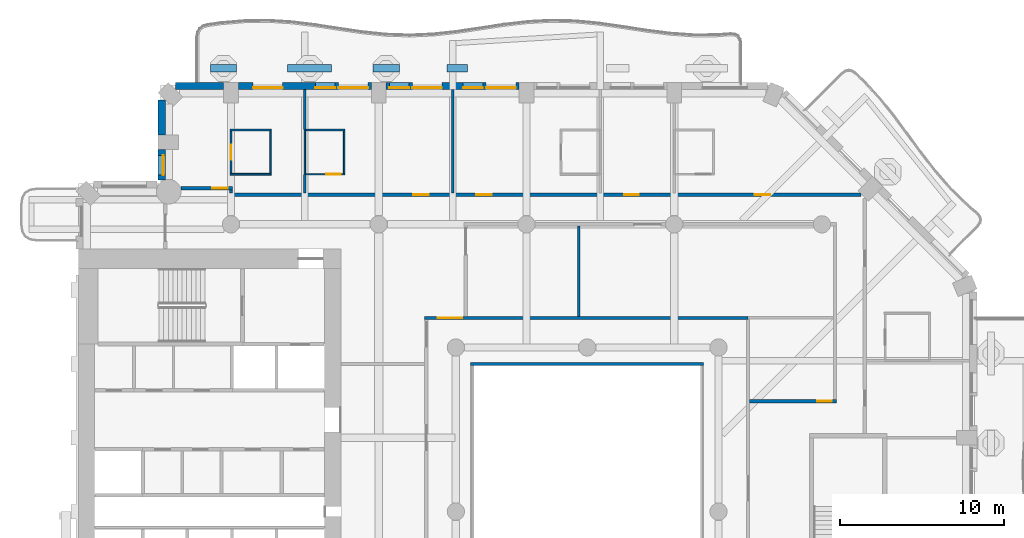
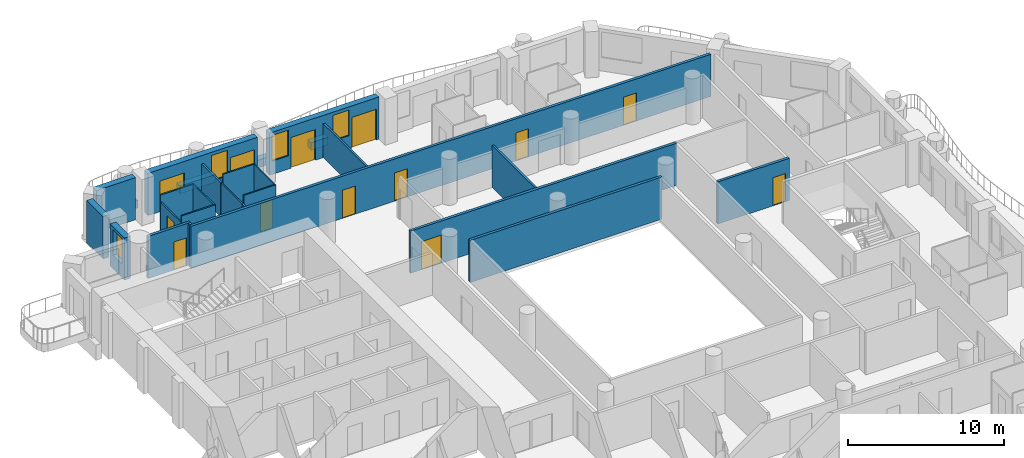
# One storey, part 8 of 21: 27 walls, 13 doors, 4 windows, 17 openings.
"""IFC4 building model written with IfcOpenShell, lengths in metres."""

import ifcopenshell
import ifcopenshell.guid

model = None  # the IFC model being written
_history = None  # IfcOwnerHistory: only IFC2X3 demands one
_inside = {}  # id of a spatial element -> (the spatial element, [elements in it])
_under = {}  # id of a project, library or spatial element -> (it, [spatial elements below it])
_declared = {}  # id of a project -> (the project, [libraries it declares])
_typed = {}  # id of a type object -> (the type object, [elements of that type])
_made_of = {}  # id of a material, layer set ... -> (it, [elements and type objects made of it])


def new_model(schema):
    """Start an empty IFC model of exactly this schema.

    Asked for "IFC4X3", IfcOpenShell would pick the latest addendum, in which some entities
    have other attributes; the version numbers below select the first issue.
    IFC2X3 requires an IfcOwnerHistory on every rooted entity: one is made here for all.
    """
    global model, _history
    if schema == "IFC4X3":
        model = ifcopenshell.file(schema_version=(4, 3, 0, 0))
    else:
        model = ifcopenshell.file(schema=schema)
    _inside.clear()
    _under.clear()
    _declared.clear()
    _typed.clear()
    _made_of.clear()
    _history = None
    if model.schema == "IFC2X3":
        org = make("IfcOrganization", Name="unknown")
        user = make(
            "IfcPersonAndOrganization",
            ThePerson=make("IfcPerson", FamilyName="unknown"),
            TheOrganization=org,
        )
        app = make(
            "IfcApplication",
            ApplicationDeveloper=org,
            Version="unknown",
            ApplicationFullName="unknown",
            ApplicationIdentifier="unknown",
        )
        _history = make(
            "IfcOwnerHistory",
            OwningUser=user,
            OwningApplication=app,
            ChangeAction="ADDED",
            CreationDate=0,
        )
    return model


def make(cls, **values):
    """One entity of the class cls with the attributes given. An attribute that is None is left unset."""
    return model.create_entity(
        cls, **{name: value for name, value in values.items() if value is not None}
    )


def rooted(cls, **values):
    """An entity with a GlobalId (a new one), such as an element, a storey or a relation."""
    return make(cls, GlobalId=ifcopenshell.guid.new(), OwnerHistory=_history, **values)


def si_unit(unit_type, name, prefix=None):
    """IfcSIUnit, for example si_unit("LENGTHUNIT", "METRE", prefix="MILLI")."""
    return make("IfcSIUnit", UnitType=unit_type, Prefix=prefix, Name=name)


def assignment(units):
    """IfcUnitAssignment: the units of a project."""
    return None if units is None else make("IfcUnitAssignment", Units=units)


def point(xyz):
    """IfcCartesianPoint."""
    return None if xyz is None else make("IfcCartesianPoint", Coordinates=xyz)


def direction(xyz):
    """IfcDirection."""
    return None if xyz is None else make("IfcDirection", DirectionRatios=xyz)


def frame(location, z_axis=None, x_axis=None):
    """IfcAxis2Placement3D, a coordinate frame: its origin and axes. An axis left out is left unset."""
    return make(
        "IfcAxis2Placement3D",
        Location=point(location),
        Axis=direction(z_axis),
        RefDirection=direction(x_axis),
    )


def frame_2d(location, x_axis=None):
    """IfcAxis2Placement2D, a coordinate frame in the plane: its origin and x axis."""
    return make(
        "IfcAxis2Placement2D", Location=point(location), RefDirection=direction(x_axis)
    )


def origin():
    """The frame at (0, 0, 0) with its axes left unset."""
    return frame((0.0, 0.0, 0.0))


def place(relative_to, where):
    """IfcLocalPlacement: puts the frame where relative to a parent placement (None: the world)."""
    return make(
        "IfcLocalPlacement", PlacementRelTo=relative_to, RelativePlacement=where
    )


def context(
    kind, dimensions, precision=None, world=None, true_north=None, identifier=None
):
    """IfcGeometricRepresentationContext, for example the 3D "Model" context."""
    return make(
        "IfcGeometricRepresentationContext",
        ContextIdentifier=identifier,
        ContextType=kind,
        CoordinateSpaceDimension=dimensions,
        Precision=precision,
        WorldCoordinateSystem=world,
        TrueNorth=true_north,
    )


def subcontext(parent, identifier, kind, view, scale=None):
    """IfcGeometricRepresentationSubContext, for example "Body" below "Model"."""
    return make(
        "IfcGeometricRepresentationSubContext",
        ContextIdentifier=identifier,
        ContextType=kind,
        ParentContext=parent,
        TargetScale=scale,
        TargetView=view,
    )


def project(units=None, contexts=None):
    """IfcProject with its units and contexts."""
    return rooted(
        "IfcProject",
        Name="project",
        RepresentationContexts=contexts,
        UnitsInContext=assignment(units),
    )


def spatial(cls, under=None, at=None, **own):
    """A site, building, storey or space (cls), placed at a placement, below another one or the project."""
    s = rooted(cls, ObjectPlacement=at, **own)
    if under is not None:
        _under.setdefault(under.id(), (under, []))[1].append(s)
    return s


def profile(cls, at=None, kind="AREA", **sizes):
    """A parametric profile (cls). Its sizes go by their IFC names, for example OverallWidth=200.0."""
    return make(cls, ProfileType=kind, Position=at, **sizes)


def rectangle(**sizes):
    """IfcRectangleProfileDef."""
    return profile("IfcRectangleProfileDef", **sizes)


def extrude(swept, where, along, depth):
    """IfcExtrudedAreaSolid: the profile swept, set in the frame where, extruded along a direction by depth."""
    return make(
        "IfcExtrudedAreaSolid",
        SweptArea=swept,
        Position=where,
        ExtrudedDirection=direction(along),
        Depth=depth,
    )


def shape(context_of_items, identifier, shape_type, items):
    """IfcShapeRepresentation: the items that make up one representation, for example the "Body"."""
    return make(
        "IfcShapeRepresentation",
        ContextOfItems=context_of_items,
        RepresentationIdentifier=identifier,
        RepresentationType=shape_type,
        Items=items,
    )


def material(Name=None, Category=None):
    """IfcMaterial."""
    return make("IfcMaterial", Name=Name, Category=Category)


def layer(
    of_material, thickness, ventilated=None, Name=None, Category=None, Priority=None
):
    """IfcMaterialLayer: one layer of a wall or slab, of a material (None: an air gap)."""
    return make(
        "IfcMaterialLayer",
        Material=of_material,
        LayerThickness=thickness,
        IsVentilated=ventilated,
        Name=Name,
        Category=Category,
        Priority=Priority,
    )


def layer_set(layers, Name=None):
    """IfcMaterialLayerSet."""
    return make("IfcMaterialLayerSet", MaterialLayers=layers, LayerSetName=Name)


def made_of(thing, what):
    """Note that an element or type object is made of a material, layer set ...; save() writes the relation."""
    if what is not None:
        _made_of.setdefault(what.id(), (what, []))[1].append(thing)
    return thing


def type_object(cls, material=None, **own):
    """A type object (cls), such as IfcWallType, which elements share."""
    return made_of(rooted(cls, **own), material)


def element(
    cls,
    number,
    at=None,
    inside=None,
    cuts=None,
    type_object=None,
    material=None,
    context=None,
    identifier="Body",
    shape_type=None,
    held_by="IfcProductDefinitionShape",
    body=None,
    shapes=None,
    **own,
):
    """One element of the class cls, such as IfcWall. Its Tag is "e" and its number.

    at: its placement. inside: the storey or other place that contains it. cuts: it is an
    opening in that element (IfcRelVoidsElement). A single representation is given by context,
    identifier, shape_type and body (its items); several are given by shapes. held_by: the class
    of the entity that holds the representations. save() writes the other relations.
    """
    e = rooted(cls, Tag="e%d" % number, ObjectPlacement=at, **own)
    if body is not None:
        shapes = [shape(context, identifier, shape_type, body)]
    if shapes is not None:
        e.Representation = make(held_by, Representations=shapes)
    if inside is not None:
        _inside.setdefault(inside.id(), (inside, []))[1].append(e)
    if cuts is not None:
        rooted(
            "IfcRelVoidsElement", RelatingBuildingElement=cuts, RelatedOpeningElement=e
        )
    if type_object is not None:
        _typed.setdefault(type_object.id(), (type_object, []))[1].append(e)
    return made_of(e, material)


def fill(opening, filler):
    """IfcRelFillsElement: the door or window that sits in an opening."""
    return rooted(
        "IfcRelFillsElement",
        RelatingOpeningElement=opening,
        RelatedBuildingElement=filler,
    )


def aggregate(whole, parts):
    """IfcRelAggregates: a whole, such as a stair, and the parts it consists of."""
    return rooted("IfcRelAggregates", RelatingObject=whole, RelatedObjects=parts)


def save(model, path):
    """Write the relations noted so far, then the file.

    IfcRelAggregates (storeys below a building ...), IfcRelContainedInSpatialStructure (elements
    in a storey), IfcRelDefinesByType, IfcRelAssociatesMaterial and IfcRelDeclares: one each for
    every whole, place, type object, material and project.
    """
    for whole, parts in _under.values():
        aggregate(whole, parts)
    for where, things in _inside.values():
        rooted(
            "IfcRelContainedInSpatialStructure",
            RelatedElements=things,
            RelatingStructure=where,
        )
    for kind, things in _typed.values():
        rooted("IfcRelDefinesByType", RelatedObjects=things, RelatingType=kind)
    for what, things in _made_of.values():
        rooted("IfcRelAssociatesMaterial", RelatedObjects=things, RelatingMaterial=what)
    for by, libraries in _declared.values():
        rooted("IfcRelDeclares", RelatingContext=by, RelatedDefinitions=libraries)
    model.write(path)


model = new_model("IFC4")

# Units and contexts
model_context = context("Model", 3, precision=1e-05, world=origin(), true_north=direction((0.0, 1.0)))
body_context = subcontext(model_context, "Body", "Model", "MODEL_VIEW")
ifc_project = project(units=[si_unit("LENGTHUNIT", "METRE"), si_unit("AREAUNIT", "SQUARE_METRE"), si_unit("VOLUMEUNIT", "CUBIC_METRE"), si_unit("PLANEANGLEUNIT", "RADIAN"), si_unit("MASSUNIT", "GRAM", prefix="KILO")], contexts=[model_context])

# Site, building, storey
site_placement = place(None, origin())
site = spatial("IfcSite", under=ifc_project, at=site_placement, CompositionType="ELEMENT")
building_placement = place(site_placement, origin())
building = spatial("IfcBuilding", under=site, at=building_placement, Name="Cypress Arch Tower", CompositionType="ELEMENT")
storey_placement = place(building_placement, frame((0.0, 0.0, 127.5)))
storey = spatial("IfcBuildingStorey", under=building, at=storey_placement, Name="L27", CompositionType="ELEMENT", Elevation=127.5)

# Walls
ifc_material_1 = material(Name="Concrete C40/50, waterproofed", Category="concrete")
ifc_layer_1 = layer(ifc_material_1, 0.449951171875)
ifc_layer_set_1 = layer_set([ifc_layer_1], Name="Balcony planter wall PW450")
wall_type_1 = type_object("IfcWallType", Name="Balcony planter wall PW450", PredefinedType="SOLIDWALL", material=ifc_layer_set_1)
wall_1_placement = place(storey_placement, frame((-6.300048828125, 27.0, 0.0), z_axis=(0.0, 0.0, 1.0), x_axis=(-1.0, 0.0, 0.0)))
element("IfcWall", 1, at=wall_1_placement, inside=storey, type_object=wall_type_1, Name="Balcony planter wall L27-A08.3", PredefinedType="SOLIDWALL", context=body_context, shape_type="SweptSolid", body=[
    extrude(rectangle(XDim=1.25, YDim=0.449951171875, at=frame_2d((0.625, 0.0))), origin(), (0.0, 0.0, 1.0), 0.60009765625),
])
wall_2_placement = place(storey_placement, frame((-10.4375, 27.0, 0.0), z_axis=(0.0, 0.0, 1.0), x_axis=(-1.0, 0.0, 0.0)))
element("IfcWall", 2, at=wall_2_placement, inside=storey, type_object=wall_type_1, Name="Balcony planter wall L27-A08.4", PredefinedType="SOLIDWALL", context=body_context, shape_type="SweptSolid", body=[
    extrude(rectangle(XDim=1.612548828125, YDim=0.449951171875, at=frame_2d((0.80615234375, 0.0))), origin(), (0.0, 0.0, 1.0), 0.60009765625),
])
wall_3_placement = place(storey_placement, frame((-14.574951171875, 27.0, 0.0), z_axis=(0.0, 0.0, 1.0), x_axis=(-1.0, 0.0, 0.0)))
element("IfcWall", 3, at=wall_3_placement, inside=storey, type_object=wall_type_1, Name="Balcony planter wall L27-A08.5", PredefinedType="SOLIDWALL", context=body_context, shape_type="SweptSolid", body=[
    extrude(rectangle(XDim=2.675048828125, YDim=0.449951171875, at=frame_2d((1.33740234375, 0.0))), origin(), (0.0, 0.0, 1.0), 0.60009765625),
])
wall_4_placement = place(storey_placement, frame((-20.35009765625, 27.0, 0.0), z_axis=(0.0, 0.0, 1.0), x_axis=(-1.0, 0.0, 0.0)))
element("IfcWall", 4, at=wall_4_placement, inside=storey, type_object=wall_type_1, Name="Balcony planter wall L27-A08.6", PredefinedType="SOLIDWALL", context=body_context, shape_type="SweptSolid", body=[
    extrude(rectangle(XDim=1.599853515625, YDim=0.449951171875, at=frame_2d((0.7998046875, 0.0))), origin(), (0.0, 0.0, 1.0), 0.60009765625),
])

# Wall, openings, doors, windows
ifc_material_2 = material(Name="Brick (red buff blend)", Category="masonry")
ifc_layer_2 = layer(ifc_material_2, 0.449951171875)
ifc_layer_set_2 = layer_set([ifc_layer_2], Name="Brick pier and spandrel wall BW450")
wall_type_2 = type_object("IfcWallType", Name="Brick pier and spandrel wall BW450", PredefinedType="SOLIDWALL", material=ifc_layer_set_2)
wall_5_placement = place(storey_placement, frame((-3.14990234375, 25.925048828125, 0.0), z_axis=(0.0, 0.0, 1.0), x_axis=(-1.0, 0.0, 0.0)))
wall_5 = element("IfcWall", 5, at=wall_5_placement, inside=storey, type_object=wall_type_2, Name="Brick wall L27 A08.2", PredefinedType="SOLIDWALL", context=body_context, shape_type="SweptSolid", body=[
    extrude(rectangle(XDim=8.10009765625, YDim=0.449951171875, at=frame_2d((4.050048828125, 0.0))), origin(), (0.0, 0.0, 1.0), 3.300048828125),
])
opening_1_placement = place(wall_5_placement, frame((0.199951171875, 0.0, 0.0)))
opening_1 = element("IfcOpeningElement", 6, at=opening_1_placement, cuts=wall_5, Name="Opening D-L27-A08.2.1", PredefinedType="OPENING", context=body_context, shape_type="SweptSolid", body=[
    extrude(rectangle(XDim=1.800048828125, YDim=2.39990234375, at=frame_2d((0.89990234375, 1.199951171875))), frame((0.0, 0.23486328125, 0.0), z_axis=(0.0, -1.0, 0.0), x_axis=(1.0, 0.0, 0.0)), (0.0, 0.0, 1.0), 0.469970703125),
])
opening_2_placement = place(wall_5_placement, frame((2.199951171875, 0.0, 1.050048828125)))
opening_2 = element("IfcOpeningElement", 7, at=opening_2_placement, cuts=wall_5, Name="Opening W120HD", PredefinedType="OPENING", context=body_context, shape_type="SweptSolid", body=[
    extrude(rectangle(XDim=1.199951171875, YDim=2.0, at=frame_2d((0.60009765625, 1.0))), frame((0.0, 0.23486328125, 0.0), z_axis=(0.0, -1.0, 0.0), x_axis=(1.0, 0.0, 0.0)), (0.0, 0.0, 1.0), 0.469970703125),
])
opening_3_placement = place(wall_5_placement, frame((4.699951171875, 0.0, 0.0)))
opening_3 = element("IfcOpeningElement", 8, at=opening_3_placement, cuts=wall_5, Name="Opening D-L27-A08.2.2", PredefinedType="OPENING", context=body_context, shape_type="SweptSolid", body=[
    extrude(rectangle(XDim=1.800048828125, YDim=2.39990234375, at=frame_2d((0.89990234375, 1.199951171875))), frame((0.0, 0.23486328125, 0.0), z_axis=(0.0, -1.0, 0.0), x_axis=(1.0, 0.0, 0.0)), (0.0, 0.0, 1.0), 0.469970703125),
])
opening_4_placement = place(wall_5_placement, frame((6.699951171875, 0.0, 1.050048828125)))
opening_4 = element("IfcOpeningElement", 9, at=opening_4_placement, cuts=wall_5, Name="Opening W120HD", PredefinedType="OPENING", context=body_context, shape_type="SweptSolid", body=[
    extrude(rectangle(XDim=1.199951171875, YDim=2.0, at=frame_2d((0.60009765625, 1.0))), frame((0.0, 0.23486328125, 0.0), z_axis=(0.0, -1.0, 0.0), x_axis=(1.0, 0.0, 0.0)), (0.0, 0.0, 1.0), 0.469970703125),
])
ifc_material_3 = material(Name="Anodised aluminium, bronze finish, laminated low-emissivity double glazing, large-missile impact rated", Category="aluminium")
door_type_1 = type_object("IfcDoorType", Name="Balcony sliding door 1800x2400", OperationType="SLIDING_TO_LEFT", PredefinedType="DOOR", material=ifc_material_3)
door_1_placement = place(opening_1_placement, origin())
door_1 = element("IfcDoor", 10, at=door_1_placement, inside=storey, type_object=door_type_1, Name="Balcony door L27 A08.2.1", OperationType="SLIDING_TO_LEFT", OverallHeight=2.39990234375, OverallWidth=1.800048828125, PredefinedType="DOOR", context=body_context, shape_type="SweptSolid", body=[
    extrude(rectangle(XDim=1.800048828125, YDim=2.39990234375, at=frame_2d((0.89990234375, 1.199951171875))), frame((0.0, 0.1298828125, 0.0), z_axis=(0.0, -1.0, 0.0), x_axis=(1.0, 0.0, 0.0)), (0.0, 0.0, 1.0), 0.050048828125),
])
fill(opening_1, door_1)
door_2_placement = place(opening_3_placement, origin())
door_2 = element("IfcDoor", 11, at=door_2_placement, inside=storey, type_object=door_type_1, Name="Balcony door L27 A08.2.2", OperationType="SLIDING_TO_LEFT", OverallHeight=2.39990234375, OverallWidth=1.800048828125, PredefinedType="DOOR", context=body_context, shape_type="SweptSolid", body=[
    extrude(rectangle(XDim=1.800048828125, YDim=2.39990234375, at=frame_2d((0.89990234375, 1.199951171875))), frame((0.0, 0.1298828125, 0.0), z_axis=(0.0, -1.0, 0.0), x_axis=(1.0, 0.0, 0.0)), (0.0, 0.0, 1.0), 0.050048828125),
])
fill(opening_3, door_2)
ifc_material_4 = material(Name="Anodised aluminium, bronze finish, laminated low-emissivity double glazing, large-missile impact rated", Category="aluminium")
window_type_1 = type_object("IfcWindowType", Name="Window Hotel 1200x2000 debris-rated", PartitioningType="SINGLE_PANEL", PredefinedType="WINDOW", material=ifc_material_4)
window_1_placement = place(opening_2_placement, origin())
window_1 = element("IfcWindow", 12, at=window_1_placement, inside=storey, type_object=window_type_1, Name="Window L27 A08.2.1", OverallHeight=2.0, OverallWidth=1.199951171875, PartitioningType="SINGLE_PANEL", PredefinedType="WINDOW", context=body_context, shape_type="SweptSolid", body=[
    extrude(rectangle(XDim=1.199951171875, YDim=2.0, at=frame_2d((0.60009765625, 1.0))), frame((0.0, 0.135009765625, 0.0), z_axis=(0.0, -1.0, 0.0), x_axis=(1.0, 0.0, 0.0)), (0.0, 0.0, 1.0), 0.06005859375),
])
fill(opening_2, window_1)
window_2_placement = place(opening_4_placement, origin())
window_2 = element("IfcWindow", 13, at=window_2_placement, inside=storey, type_object=window_type_1, Name="Window L27 A08.2.2", OverallHeight=2.0, OverallWidth=1.199951171875, PartitioningType="SINGLE_PANEL", PredefinedType="WINDOW", context=body_context, shape_type="SweptSolid", body=[
    extrude(rectangle(XDim=1.199951171875, YDim=2.0, at=frame_2d((0.60009765625, 1.0))), frame((0.0, 0.135009765625, 0.0), z_axis=(0.0, -1.0, 0.0), x_axis=(1.0, 0.0, 0.0)), (0.0, 0.0, 1.0), 0.06005859375),
])
fill(opening_4, window_2)

# Wall, openings, doors, window
wall_6_placement = place(storey_placement, frame((-12.14990234375, 25.925048828125, 0.0), z_axis=(0.0, 0.0, 1.0), x_axis=(-1.0, 0.0, 0.0)))
wall_6 = element("IfcWall", 14, at=wall_6_placement, inside=storey, type_object=wall_type_2, Name="Brick wall L27 A08.3", PredefinedType="SOLIDWALL", context=body_context, shape_type="SweptSolid", body=[
    extrude(rectangle(XDim=8.10009765625, YDim=0.449951171875, at=frame_2d((4.050048828125, 0.0))), origin(), (0.0, 0.0, 1.0), 3.300048828125),
])
opening_5_placement = place(wall_6_placement, frame((0.199951171875, 0.0, 0.0)))
opening_5 = element("IfcOpeningElement", 15, at=opening_5_placement, cuts=wall_6, Name="Opening D-L27-A08.3.1", PredefinedType="OPENING", context=body_context, shape_type="SweptSolid", body=[
    extrude(rectangle(XDim=1.800048828125, YDim=2.39990234375, at=frame_2d((0.89990234375, 1.199951171875))), frame((0.0, 0.23486328125, 0.0), z_axis=(0.0, -1.0, 0.0), x_axis=(1.0, 0.0, 0.0)), (0.0, 0.0, 1.0), 0.469970703125),
])
opening_6_placement = place(wall_6_placement, frame((2.199951171875, 0.0, 1.050048828125)))
opening_6 = element("IfcOpeningElement", 16, at=opening_6_placement, cuts=wall_6, Name="Opening W120HD", PredefinedType="OPENING", context=body_context, shape_type="SweptSolid", body=[
    extrude(rectangle(XDim=1.199951171875, YDim=2.0, at=frame_2d((0.60009765625, 1.0))), frame((0.0, 0.23486328125, 0.0), z_axis=(0.0, -1.0, 0.0), x_axis=(1.0, 0.0, 0.0)), (0.0, 0.0, 1.0), 0.469970703125),
])
opening_7_placement = place(wall_6_placement, frame((5.39990234375, 0.0, 0.0)))
opening_7 = element("IfcOpeningElement", 17, at=opening_7_placement, cuts=wall_6, Name="Opening D-L27-A08.3.2", PredefinedType="OPENING", context=body_context, shape_type="SweptSolid", body=[
    extrude(rectangle(XDim=1.800048828125, YDim=2.39990234375, at=frame_2d((0.89990234375, 1.199951171875))), frame((0.0, 0.23486328125, 0.0), z_axis=(0.0, -1.0, 0.0), x_axis=(1.0, 0.0, 0.0)), (0.0, 0.0, 1.0), 0.469970703125),
])
door_3_placement = place(opening_5_placement, origin())
door_3 = element("IfcDoor", 18, at=door_3_placement, inside=storey, type_object=door_type_1, Name="Balcony door L27 A08.3.1", OperationType="SLIDING_TO_LEFT", OverallHeight=2.39990234375, OverallWidth=1.800048828125, PredefinedType="DOOR", context=body_context, shape_type="SweptSolid", body=[
    extrude(rectangle(XDim=1.800048828125, YDim=2.39990234375, at=frame_2d((0.89990234375, 1.199951171875))), frame((0.0, 0.1298828125, 0.0), z_axis=(0.0, -1.0, 0.0), x_axis=(1.0, 0.0, 0.0)), (0.0, 0.0, 1.0), 0.050048828125),
])
fill(opening_5, door_3)
door_4_placement = place(opening_7_placement, origin())
door_4 = element("IfcDoor", 19, at=door_4_placement, inside=storey, type_object=door_type_1, Name="Balcony door L27 A08.3.2", OperationType="SLIDING_TO_LEFT", OverallHeight=2.39990234375, OverallWidth=1.800048828125, PredefinedType="DOOR", context=body_context, shape_type="SweptSolid", body=[
    extrude(rectangle(XDim=1.800048828125, YDim=2.39990234375, at=frame_2d((0.89990234375, 1.199951171875))), frame((0.0, 0.1298828125, 0.0), z_axis=(0.0, -1.0, 0.0), x_axis=(1.0, 0.0, 0.0)), (0.0, 0.0, 1.0), 0.050048828125),
])
fill(opening_7, door_4)
window_3_placement = place(opening_6_placement, origin())
window_3 = element("IfcWindow", 20, at=window_3_placement, inside=storey, type_object=window_type_1, Name="Window L27 A08.3.1", OverallHeight=2.0, OverallWidth=1.199951171875, PartitioningType="SINGLE_PANEL", PredefinedType="WINDOW", context=body_context, shape_type="SweptSolid", body=[
    extrude(rectangle(XDim=1.199951171875, YDim=2.0, at=frame_2d((0.60009765625, 1.0))), frame((0.0, 0.135009765625, 0.0), z_axis=(0.0, -1.0, 0.0), x_axis=(1.0, 0.0, 0.0)), (0.0, 0.0, 1.0), 0.06005859375),
])
fill(opening_6, window_3)

# Walls
wall_7_placement = place(storey_placement, frame((-21.14990234375, 25.925048828125, 0.0), z_axis=(0.0, 0.0, 1.0), x_axis=(-1.0, 0.0, 0.0)))
element("IfcWall", 21, at=wall_7_placement, inside=storey, type_object=wall_type_2, Name="Brick wall L27 A08.4", PredefinedType="SOLIDWALL", context=body_context, shape_type="SweptSolid", body=[
    extrude(rectangle(XDim=2.913818359375, YDim=0.449951171875, at=frame_2d((1.45703125, 0.0))), origin(), (0.0, 0.0, 1.0), 3.300048828125),
])
wall_8_placement = place(storey_placement, frame((-24.925048828125, 25.063720703125, 0.0), z_axis=(0.0, 0.0, 1.0), x_axis=(0.0, -1.0, 0.0)))
element("IfcWall", 22, at=wall_8_placement, inside=storey, type_object=wall_type_2, Name="Brick wall L27 A09.0", PredefinedType="SOLIDWALL", context=body_context, shape_type="SweptSolid", body=[
    extrude(rectangle(XDim=2.11376953125, YDim=0.449951171875, at=frame_2d((1.056884765625, 0.0))), origin(), (0.0, 0.0, 1.0), 3.300048828125),
])

# Wall, opening, window
wall_9_placement = place(storey_placement, frame((-24.925048828125, 22.050048828125, 0.0), z_axis=(0.0, 0.0, 1.0), x_axis=(0.0, -1.0, 0.0)))
wall_9 = element("IfcWall", 23, at=wall_9_placement, inside=storey, type_object=wall_type_2, Name="Brick wall L27 A09.1", PredefinedType="SOLIDWALL", context=body_context, shape_type="SweptSolid", body=[
    extrude(rectangle(XDim=1.843017578125, YDim=0.449951171875, at=frame_2d((0.92138671875, 0.0))), origin(), (0.0, 0.0, 1.0), 3.300048828125),
])
opening_8_placement = place(wall_9_placement, frame((0.35009765625, 0.0, 1.050048828125)))
opening_8 = element("IfcOpeningElement", 24, at=opening_8_placement, cuts=wall_9, Name="Opening W120H", PredefinedType="OPENING", context=body_context, shape_type="SweptSolid", body=[
    extrude(rectangle(XDim=1.199951171875, YDim=2.0, at=frame_2d((0.60009765625, 1.0))), frame((0.0, 0.23486328125, 0.0), z_axis=(0.0, -1.0, 0.0), x_axis=(1.0, 0.0, 0.0)), (0.0, 0.0, 1.0), 0.469970703125),
])
ifc_material_5 = material(Name="Anodised aluminium, bronze finish, clear low-emissivity double glazing", Category="aluminium")
window_type_2 = type_object("IfcWindowType", Name="Window Hotel 1200x2000", PartitioningType="SINGLE_PANEL", PredefinedType="WINDOW", material=ifc_material_5)
window_4_placement = place(opening_8_placement, origin())
window_4 = element("IfcWindow", 25, at=window_4_placement, inside=storey, type_object=window_type_2, Name="Window L27 A09.1.1", OverallHeight=2.0, OverallWidth=1.199951171875, PartitioningType="SINGLE_PANEL", PredefinedType="WINDOW", context=body_context, shape_type="SweptSolid", body=[
    extrude(rectangle(XDim=1.199951171875, YDim=2.0, at=frame_2d((0.60009765625, 1.0))), frame((0.0, 0.135009765625, 0.0), z_axis=(0.0, -1.0, 0.0), x_axis=(1.0, 0.0, 0.0)), (0.0, 0.0, 1.0), 0.06005859375),
])
fill(opening_8, window_4)

# Wall, opening, door
ifc_material_6 = material(Name="Concrete blockwork, plastered, rated", Category="masonry")
ifc_layer_3 = layer(ifc_material_6, 0.199951171875)
ifc_layer_set_3 = layer_set([ifc_layer_3], Name="Corridor wall FW200")
wall_type_3 = type_object("IfcWallType", Name="Corridor wall FW200", PredefinedType="PARTITIONING", material=ifc_layer_set_3)
wall_10_placement = place(storey_placement, frame((-23.752197265625, 19.699951171875, 0.0), z_axis=(0.0, 0.0, 1.0), x_axis=(1.0, 0.0, 0.0)))
wall_10 = element("IfcWall", 26, at=wall_10_placement, inside=storey, type_object=wall_type_3, Name="Corridor wall", PredefinedType="PARTITIONING", context=body_context, shape_type="SweptSolid", body=[
    extrude(rectangle(XDim=3.152099609375, YDim=0.199951171875, at=frame_2d((1.576171875, 0.0))), origin(), (0.0, 0.0, 1.0), 3.300048828125),
])
opening_9_placement = place(wall_10_placement, frame((1.89990234375, 0.0, 0.0)))
opening_9 = element("IfcOpeningElement", 27, at=opening_9_placement, cuts=wall_10, Name="Opening D02", PredefinedType="OPENING", context=body_context, shape_type="SweptSolid", body=[
    extrude(rectangle(XDim=0.949951171875, YDim=2.199951171875, at=frame_2d((0.47509765625, 1.10009765625))), frame((0.0, 0.10986328125, 0.0), z_axis=(0.0, -1.0, 0.0), x_axis=(1.0, 0.0, 0.0)), (0.0, 0.0, 1.0), 0.219970703125),
])
ifc_material_7 = material(Name="Timber flush door, fire resisting", Category="wood")
door_type_2 = type_object("IfcDoorType", Name="Room door D02 950x2200", OperationType="SINGLE_SWING_LEFT", PredefinedType="DOOR", material=ifc_material_7)
door_5_placement = place(opening_9_placement, origin())
door_5 = element("IfcDoor", 28, at=door_5_placement, inside=storey, type_object=door_type_2, Name="Room door", OperationType="SINGLE_SWING_LEFT", OverallHeight=2.199951171875, OverallWidth=0.949951171875, PredefinedType="DOOR", context=body_context, shape_type="SweptSolid", body=[
    extrude(rectangle(XDim=0.949951171875, YDim=2.199951171875, at=frame_2d((0.47509765625, 1.10009765625))), frame((0.0, 0.02490234375, 0.0), z_axis=(0.0, -1.0, 0.0), x_axis=(1.0, 0.0, 0.0)), (0.0, 0.0, 1.0), 0.050048828125),
])
fill(opening_9, door_5)

# Wall
wall_11_placement = place(storey_placement, frame((-20.699951171875, 19.39990234375, 0.0), z_axis=(0.0, 0.0, 1.0), x_axis=(0.0, 1.0, 0.0)))
element("IfcWall", 29, at=wall_11_placement, inside=storey, type_object=wall_type_3, Name="Corridor wall", PredefinedType="PARTITIONING", context=body_context, shape_type="SweptSolid", body=[
    extrude(rectangle(XDim=0.2001953125, YDim=0.199951171875, at=frame_2d((0.10009765625, 0.0))), origin(), (0.0, 0.0, 1.0), 3.300048828125),
])

# Wall, openings, doors
wall_12_placement = place(storey_placement, frame((-20.800048828125, 19.300048828125, 0.0), z_axis=(0.0, 0.0, 1.0), x_axis=(1.0, 0.0, 0.0)))
wall_12 = element("IfcWall", 30, at=wall_12_placement, inside=storey, type_object=wall_type_3, Name="Corridor wall", PredefinedType="PARTITIONING", context=body_context, shape_type="SweptSolid", body=[
    extrude(rectangle(XDim=38.46435546875, YDim=0.199951171875, at=frame_2d((19.232177734375, 0.0))), origin(), (0.0, 0.0, 1.0), 3.300048828125),
])
opening_10_placement = place(wall_12_placement, frame((24.050048828125, 0.0, 0.0)))
opening_10 = element("IfcOpeningElement", 31, at=opening_10_placement, cuts=wall_12, Name="Opening D05", PredefinedType="OPENING", context=body_context, shape_type="SweptSolid", body=[
    extrude(rectangle(XDim=0.89990234375, YDim=2.199951171875, at=frame_2d((0.449951171875, 1.10009765625))), frame((0.0, 0.10986328125, 0.0), z_axis=(0.0, -1.0, 0.0), x_axis=(1.0, 0.0, 0.0)), (0.0, 0.0, 1.0), 0.219970703125),
])
opening_11_placement = place(wall_12_placement, frame((11.199951171875, 0.0, 0.0)))
opening_11 = element("IfcOpeningElement", 32, at=opening_11_placement, cuts=wall_12, Name="Opening D02", PredefinedType="OPENING", context=body_context, shape_type="SweptSolid", body=[
    extrude(rectangle(XDim=0.949951171875, YDim=2.199951171875, at=frame_2d((0.47509765625, 1.10009765625))), frame((0.0, 0.10986328125, 0.0), z_axis=(0.0, -1.0, 0.0), x_axis=(1.0, 0.0, 0.0)), (0.0, 0.0, 1.0), 0.219970703125),
])
opening_12_placement = place(wall_12_placement, frame((15.050048828125, 0.0, 0.0)))
opening_12 = element("IfcOpeningElement", 33, at=opening_12_placement, cuts=wall_12, Name="Opening D02", PredefinedType="OPENING", context=body_context, shape_type="SweptSolid", body=[
    extrude(rectangle(XDim=0.949951171875, YDim=2.199951171875, at=frame_2d((0.47509765625, 1.10009765625))), frame((0.0, 0.10986328125, 0.0), z_axis=(0.0, -1.0, 0.0), x_axis=(1.0, 0.0, 0.0)), (0.0, 0.0, 1.0), 0.219970703125),
])
opening_13_placement = place(wall_12_placement, frame((32.0, 0.0, 0.0)))
opening_13 = element("IfcOpeningElement", 34, at=opening_13_placement, cuts=wall_12, Name="Opening D02", PredefinedType="OPENING", context=body_context, shape_type="SweptSolid", body=[
    extrude(rectangle(XDim=0.949951171875, YDim=2.199951171875, at=frame_2d((0.47509765625, 1.10009765625))), frame((0.0, 0.10986328125, 0.0), z_axis=(0.0, -1.0, 0.0), x_axis=(1.0, 0.0, 0.0)), (0.0, 0.0, 1.0), 0.219970703125),
])
door_6_placement = place(opening_11_placement, origin())
door_6 = element("IfcDoor", 35, at=door_6_placement, inside=storey, type_object=door_type_2, Name="Room door", OperationType="SINGLE_SWING_RIGHT", OverallHeight=2.199951171875, OverallWidth=0.949951171875, PredefinedType="DOOR", context=body_context, shape_type="SweptSolid", body=[
    extrude(rectangle(XDim=0.949951171875, YDim=2.199951171875, at=frame_2d((0.47509765625, 1.10009765625))), frame((0.0, 0.02490234375, 0.0), z_axis=(0.0, -1.0, 0.0), x_axis=(1.0, 0.0, 0.0)), (0.0, 0.0, 1.0), 0.050048828125),
])
fill(opening_11, door_6)
door_7_placement = place(opening_12_placement, origin())
door_7 = element("IfcDoor", 36, at=door_7_placement, inside=storey, type_object=door_type_2, Name="Room door", OperationType="SINGLE_SWING_LEFT", OverallHeight=2.199951171875, OverallWidth=0.949951171875, PredefinedType="DOOR", context=body_context, shape_type="SweptSolid", body=[
    extrude(rectangle(XDim=0.949951171875, YDim=2.199951171875, at=frame_2d((0.47509765625, 1.10009765625))), frame((0.0, 0.02490234375, 0.0), z_axis=(0.0, -1.0, 0.0), x_axis=(1.0, 0.0, 0.0)), (0.0, 0.0, 1.0), 0.050048828125),
])
fill(opening_12, door_7)
door_8_placement = place(opening_13_placement, origin())
door_8 = element("IfcDoor", 37, at=door_8_placement, inside=storey, type_object=door_type_2, Name="Room door", OperationType="SINGLE_SWING_RIGHT", OverallHeight=2.199951171875, OverallWidth=0.949951171875, PredefinedType="DOOR", context=body_context, shape_type="SweptSolid", body=[
    extrude(rectangle(XDim=0.949951171875, YDim=2.199951171875, at=frame_2d((0.47509765625, 1.10009765625))), frame((0.0, 0.02490234375, 0.0), z_axis=(0.0, -1.0, 0.0), x_axis=(1.0, 0.0, 0.0)), (0.0, 0.0, 1.0), 0.050048828125),
])
fill(opening_13, door_8)
ifc_material_8 = material(Name="Timber flush door", Category="wood")
door_type_3 = type_object("IfcDoorType", Name="Service door D05 900x2200", OperationType="SINGLE_SWING_LEFT", PredefinedType="DOOR", material=ifc_material_8)
door_9_placement = place(opening_10_placement, origin())
door_9 = element("IfcDoor", 38, at=door_9_placement, inside=storey, type_object=door_type_3, Name="Service door", OperationType="SINGLE_SWING_LEFT", OverallHeight=2.199951171875, OverallWidth=0.89990234375, PredefinedType="DOOR", context=body_context, shape_type="SweptSolid", body=[
    extrude(rectangle(XDim=0.89990234375, YDim=2.199951171875, at=frame_2d((0.449951171875, 1.10009765625))), frame((0.0, 0.02490234375, 0.0), z_axis=(0.0, -1.0, 0.0), x_axis=(1.0, 0.0, 0.0)), (0.0, 0.0, 1.0), 0.050048828125),
])
fill(opening_10, door_9)

# Wall, opening, door
wall_13_placement = place(storey_placement, frame((-8.89990234375, 11.800048828125, 0.0), z_axis=(0.0, 0.0, 1.0), x_axis=(1.0, 0.0, 0.0)))
wall_13 = element("IfcWall", 39, at=wall_13_placement, inside=storey, type_object=wall_type_3, Name="Corridor wall", PredefinedType="PARTITIONING", context=body_context, shape_type="SweptSolid", body=[
    extrude(rectangle(XDim=19.699951171875, YDim=0.199951171875, at=frame_2d((9.85009765625, 0.0))), origin(), (0.0, 0.0, 1.0), 3.300048828125),
])
opening_14_placement = place(wall_13_placement, frame((0.800048828125, 0.0, 0.0)))
opening_14 = element("IfcOpeningElement", 40, at=opening_14_placement, cuts=wall_13, Name="Opening D04", PredefinedType="OPENING", context=body_context, shape_type="SweptSolid", body=[
    extrude(rectangle(XDim=1.5, YDim=2.199951171875, at=frame_2d((0.75, 1.10009765625))), frame((0.0, 0.10986328125, 0.0), z_axis=(0.0, -1.0, 0.0), x_axis=(1.0, 0.0, 0.0)), (0.0, 0.0, 1.0), 0.219970703125),
])
ifc_material_9 = material(Name="Timber double door", Category="wood")
door_type_4 = type_object("IfcDoorType", Name="Double door D04 1500x2200", OperationType="DOUBLE_DOOR_SINGLE_SWING", PredefinedType="DOOR", material=ifc_material_9)
door_10_placement = place(opening_14_placement, origin())
door_10 = element("IfcDoor", 41, at=door_10_placement, inside=storey, type_object=door_type_4, Name="Double door", OperationType="DOUBLE_DOOR_SINGLE_SWING", OverallHeight=2.199951171875, OverallWidth=1.5, PredefinedType="DOOR", context=body_context, shape_type="SweptSolid", body=[
    extrude(rectangle(XDim=1.5, YDim=2.199951171875, at=frame_2d((0.75, 1.10009765625))), frame((0.0, 0.02490234375, 0.0), z_axis=(0.0, -1.0, 0.0), x_axis=(1.0, 0.0, 0.0)), (0.0, 0.0, 1.0), 0.050048828125),
])
fill(opening_14, door_10)

# Wall
wall_14_placement = place(storey_placement, frame((-6.10009765625, 9.0, 0.0), z_axis=(0.0, 0.0, 1.0), x_axis=(1.0, 0.0, 0.0)))
element("IfcWall", 42, at=wall_14_placement, inside=storey, type_object=wall_type_3, Name="Corridor wall", PredefinedType="PARTITIONING", context=body_context, shape_type="SweptSolid", body=[
    extrude(rectangle(XDim=14.2001953125, YDim=0.199951171875, at=frame_2d((7.10009765625, 0.0))), origin(), (0.0, 0.0, 1.0), 3.300048828125),
])

# Wall, opening, door
wall_15_placement = place(storey_placement, frame((10.89990234375, 6.72509765625, 0.0), z_axis=(0.0, 0.0, 1.0), x_axis=(1.0, 0.0, 0.0)))
wall_15 = element("IfcWall", 43, at=wall_15_placement, inside=storey, type_object=wall_type_3, Name="Corridor wall", PredefinedType="PARTITIONING", context=body_context, shape_type="SweptSolid", body=[
    extrude(rectangle(XDim=5.300048828125, YDim=0.199951171875, at=frame_2d((2.64990234375, 0.0))), origin(), (0.0, 0.0, 1.0), 3.300048828125),
])
opening_15_placement = place(wall_15_placement, frame((4.10009765625, 0.0, 0.0)))
opening_15 = element("IfcOpeningElement", 44, at=opening_15_placement, cuts=wall_15, Name="Opening D05", PredefinedType="OPENING", context=body_context, shape_type="SweptSolid", body=[
    extrude(rectangle(XDim=0.89990234375, YDim=2.199951171875, at=frame_2d((0.449951171875, 1.10009765625))), frame((0.0, 0.10986328125, 0.0), z_axis=(0.0, -1.0, 0.0), x_axis=(1.0, 0.0, 0.0)), (0.0, 0.0, 1.0), 0.219970703125),
])
door_11_placement = place(opening_15_placement, origin())
door_11 = element("IfcDoor", 45, at=door_11_placement, inside=storey, type_object=door_type_3, Name="Service door", OperationType="SINGLE_SWING_RIGHT", OverallHeight=2.199951171875, OverallWidth=0.89990234375, PredefinedType="DOOR", context=body_context, shape_type="SweptSolid", body=[
    extrude(rectangle(XDim=0.89990234375, YDim=2.199951171875, at=frame_2d((0.449951171875, 1.10009765625))), frame((0.0, 0.02490234375, 0.0), z_axis=(0.0, -1.0, 0.0), x_axis=(1.0, 0.0, 0.0)), (0.0, 0.0, 1.0), 0.050048828125),
])
fill(opening_15, door_11)

# Walls
ifc_material_10 = material(Name="Blockwork, plastered both sides", Category="masonry")
ifc_layer_4 = layer(ifc_material_10, 0.14990234375)
ifc_layer_set_4 = layer_set([ifc_layer_4], Name="Partition PW150")
wall_type_4 = type_object("IfcWallType", Name="Partition PW150", PredefinedType="PARTITIONING", material=ifc_layer_set_4)
wall_16_placement = place(storey_placement, frame((-16.199951171875, 19.39990234375, 0.0), z_axis=(0.0, 0.0, 1.0), x_axis=(0.0, 1.0, 0.0)))
element("IfcWall", 46, at=wall_16_placement, inside=storey, type_object=wall_type_4, Name="Partition", PredefinedType="PARTITIONING", context=body_context, shape_type="SweptSolid", body=[
    extrude(rectangle(XDim=1.130126953125, YDim=0.14990234375, at=frame_2d((0.56494140625, 0.0))), origin(), (0.0, 0.0, 1.0), 2.64990234375),
])
wall_17_placement = place(storey_placement, frame((-16.199951171875, 23.27001953125, 0.0), z_axis=(0.0, 0.0, 1.0), x_axis=(0.0, 1.0, 0.0)))
element("IfcWall", 47, at=wall_17_placement, inside=storey, type_object=wall_type_4, Name="Partition", PredefinedType="PARTITIONING", context=body_context, shape_type="SweptSolid", body=[
    extrude(rectangle(XDim=2.429931640625, YDim=0.14990234375, at=frame_2d((1.21484375, 0.0))), origin(), (0.0, 0.0, 1.0), 2.64990234375),
])
wall_18_placement = place(storey_placement, frame((-7.199951171875, 19.39990234375, 0.0), z_axis=(0.0, 0.0, 1.0), x_axis=(0.0, 1.0, 0.0)))
element("IfcWall", 48, at=wall_18_placement, inside=storey, type_object=wall_type_4, Name="Partition", PredefinedType="PARTITIONING", context=body_context, shape_type="SweptSolid", body=[
    extrude(rectangle(XDim=6.300048828125, YDim=0.14990234375, at=frame_2d((3.14990234375, 0.0))), origin(), (0.0, 0.0, 1.0), 2.64990234375),
])
wall_19_placement = place(storey_placement, frame((0.5, 11.89990234375, 0.0), z_axis=(0.0, 0.0, 1.0), x_axis=(0.0, 1.0, 0.0)))
element("IfcWall", 49, at=wall_19_placement, inside=storey, type_object=wall_type_4, Name="Partition", PredefinedType="PARTITIONING", context=body_context, shape_type="SweptSolid", body=[
    extrude(rectangle(XDim=5.5, YDim=0.14990234375, at=frame_2d((2.75, 0.0))), origin(), (0.0, 0.0, 1.0), 3.300048828125),
])

# Wall, opening, door
ifc_material_11 = material(Name="Moisture resistant board on steel studs, tiled", Category="steel")
ifc_layer_5 = layer(ifc_material_11, 0.10009765625)
ifc_layer_set_5 = layer_set([ifc_layer_5], Name="Wet wall PW100")
wall_type_5 = type_object("IfcWallType", Name="Wet wall PW100", PredefinedType="PARTITIONING", material=ifc_layer_set_5)
wall_20_placement = place(storey_placement, frame((-20.699951171875, 20.60009765625, 0.0), z_axis=(0.0, 0.0, 1.0), x_axis=(0.0, 1.0, 0.0)))
wall_20 = element("IfcWall", 50, at=wall_20_placement, inside=storey, type_object=wall_type_5, Name="Wet wall", PredefinedType="PARTITIONING", context=body_context, shape_type="SweptSolid", body=[
    extrude(rectangle(XDim=2.599853515625, YDim=0.10009765625, at=frame_2d((1.2998046875, 0.0))), origin(), (0.0, 0.0, 1.0), 2.75),
])
opening_16_placement = place(wall_20_placement, frame((0.85009765625, 0.0, 0.0)))
opening_16 = element("IfcOpeningElement", 51, at=opening_16_placement, cuts=wall_20, Name="Opening D03", PredefinedType="OPENING", context=body_context, shape_type="SweptSolid", body=[
    extrude(rectangle(XDim=0.89990234375, YDim=2.199951171875, at=frame_2d((0.449951171875, 1.10009765625))), frame((0.0, 0.06005859375, 0.0), z_axis=(0.0, -1.0, 0.0), x_axis=(1.0, 0.0, 0.0)), (0.0, 0.0, 1.0), 0.1201171875),
])
ifc_material_12 = material(Name="Timber flush door, moisture resistant", Category="wood")
door_type_5 = type_object("IfcDoorType", Name="Bathroom door D03 900x2200", OperationType="SINGLE_SWING_LEFT", PredefinedType="DOOR", material=ifc_material_12)
door_12_placement = place(opening_16_placement, origin())
door_12 = element("IfcDoor", 52, at=door_12_placement, inside=storey, type_object=door_type_5, Name="Bathroom door", OperationType="SINGLE_SWING_LEFT", OverallHeight=2.199951171875, OverallWidth=0.89990234375, PredefinedType="DOOR", context=body_context, shape_type="SweptSolid", body=[
    extrude(rectangle(XDim=0.89990234375, YDim=2.199951171875, at=frame_2d((0.449951171875, 1.10009765625))), frame((0.0, 0.02490234375, 0.0), z_axis=(0.0, -1.0, 0.0), x_axis=(1.0, 0.0, 0.0)), (0.0, 0.0, 1.0), 0.050048828125),
])
fill(opening_16, door_12)

# Walls
for number, where, z_axis, x_axis, name in (
    (53, (-20.75, 20.550048828125, 0.0), (0.0, 0.0, 1.0), (1.0, 0.0, 0.0), "Wet wall"),
    (54, (-20.75, 23.25, 0.0), (0.0, 0.0, 1.0), (1.0, 0.0, 0.0), "Wet wall"),
):
    element("IfcWall", number, at=place(storey_placement, frame(where, z_axis=z_axis, x_axis=x_axis)), inside=storey, type_object=wall_type_5, Name=name, PredefinedType="PARTITIONING", context=body_context, shape_type="SweptSolid", body=[
        extrude(rectangle(XDim=2.5, YDim=0.10009765625, at=frame_2d((1.25, 0.0))), origin(), (0.0, 0.0, 1.0), 3.300048828125),
    ])
wall_21_placement = place(storey_placement, frame((-18.300048828125, 20.60009765625, 0.0), z_axis=(0.0, 0.0, 1.0), x_axis=(0.0, 1.0, 0.0)))
element("IfcWall", 55, at=wall_21_placement, inside=storey, type_object=wall_type_5, Name="Wet wall", PredefinedType="PARTITIONING", context=body_context, shape_type="SweptSolid", body=[
    extrude(rectangle(XDim=2.599853515625, YDim=0.10009765625, at=frame_2d((1.2998046875, 0.0))), origin(), (0.0, 0.0, 1.0), 3.300048828125),
])
wall_22_placement = place(storey_placement, frame((-16.199951171875, 20.530029296875, 0.0), z_axis=(0.0, 0.0, 1.0), x_axis=(0.0, 1.0, 0.0)))
element("IfcWall", 56, at=wall_22_placement, inside=storey, type_object=wall_type_5, Name="Wet wall", PredefinedType="PARTITIONING", context=body_context, shape_type="SweptSolid", body=[
    extrude(rectangle(XDim=2.739990234375, YDim=0.10009765625, at=frame_2d((1.3701171875, 0.0))), origin(), (0.0, 0.0, 1.0), 2.64990234375),
])

# Wall, opening, door
wall_23_placement = place(storey_placement, frame((-16.14990234375, 20.550048828125, 0.0), z_axis=(0.0, 0.0, 1.0), x_axis=(1.0, 0.0, 0.0)))
wall_23 = element("IfcWall", 57, at=wall_23_placement, inside=storey, type_object=wall_type_5, Name="Wet wall", PredefinedType="PARTITIONING", context=body_context, shape_type="SweptSolid", body=[
    extrude(rectangle(XDim=2.39599609375, YDim=0.10009765625, at=frame_2d((1.197998046875, 0.0))), origin(), (0.0, 0.0, 1.0), 3.300048828125),
])
opening_17_placement = place(wall_23_placement, frame((1.25, 0.0, 0.0)))
opening_17 = element("IfcOpeningElement", 58, at=opening_17_placement, cuts=wall_23, Name="Opening D03", PredefinedType="OPENING", context=body_context, shape_type="SweptSolid", body=[
    extrude(rectangle(XDim=0.89990234375, YDim=2.199951171875, at=frame_2d((0.449951171875, 1.10009765625))), frame((0.0, 0.06005859375, 0.0), z_axis=(0.0, -1.0, 0.0), x_axis=(1.0, 0.0, 0.0)), (0.0, 0.0, 1.0), 0.1201171875),
])
door_13_placement = place(opening_17_placement, origin())
door_13 = element("IfcDoor", 59, at=door_13_placement, inside=storey, type_object=door_type_5, Name="Bathroom door", OperationType="SINGLE_SWING_RIGHT", OverallHeight=2.199951171875, OverallWidth=0.89990234375, PredefinedType="DOOR", context=body_context, shape_type="SweptSolid", body=[
    extrude(rectangle(XDim=0.89990234375, YDim=2.199951171875, at=frame_2d((0.449951171875, 1.10009765625))), frame((0.0, 0.02490234375, 0.0), z_axis=(0.0, -1.0, 0.0), x_axis=(1.0, 0.0, 0.0)), (0.0, 0.0, 1.0), 0.050048828125),
])
fill(opening_17, door_13)

# Walls
wall_24_placement = place(storey_placement, frame((-16.125, 23.25, 0.0), z_axis=(0.0, 0.0, 1.0), x_axis=(1.0, 0.0, 0.0)))
element("IfcWall", 60, at=wall_24_placement, inside=storey, type_object=wall_type_5, Name="Wet wall", PredefinedType="PARTITIONING", context=body_context, shape_type="SweptSolid", body=[
    extrude(rectangle(XDim=2.37109375, YDim=0.10009765625, at=frame_2d((1.185546875, 0.0))), origin(), (0.0, 0.0, 1.0), 3.300048828125),
])
wall_25_placement = place(storey_placement, frame((-13.803955078125, 20.60009765625, 0.0), z_axis=(0.0, 0.0, 1.0), x_axis=(0.0, 1.0, 0.0)))
element("IfcWall", 61, at=wall_25_placement, inside=storey, type_object=wall_type_5, Name="Wet wall", PredefinedType="PARTITIONING", context=body_context, shape_type="SweptSolid", body=[
    extrude(rectangle(XDim=2.599853515625, YDim=0.10009765625, at=frame_2d((1.2998046875, 0.0))), origin(), (0.0, 0.0, 1.0), 3.300048828125),
])

save(model, "model.ifc")
